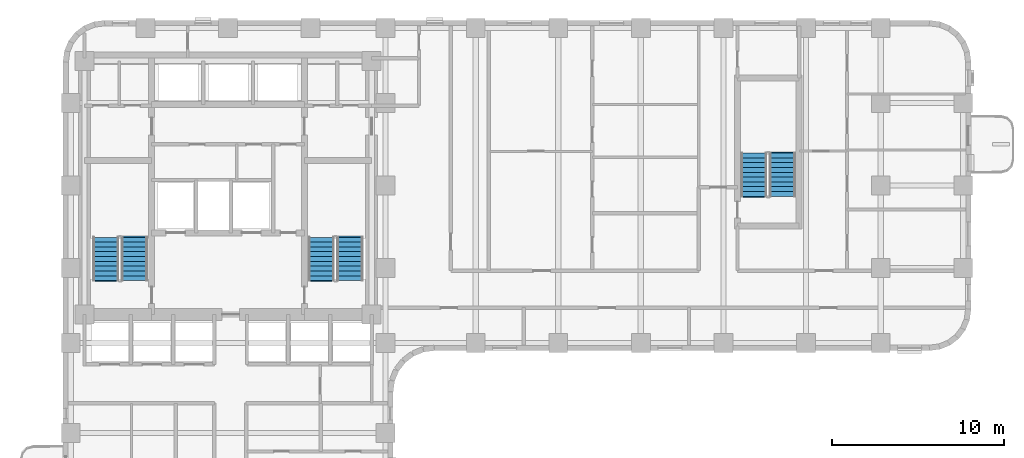
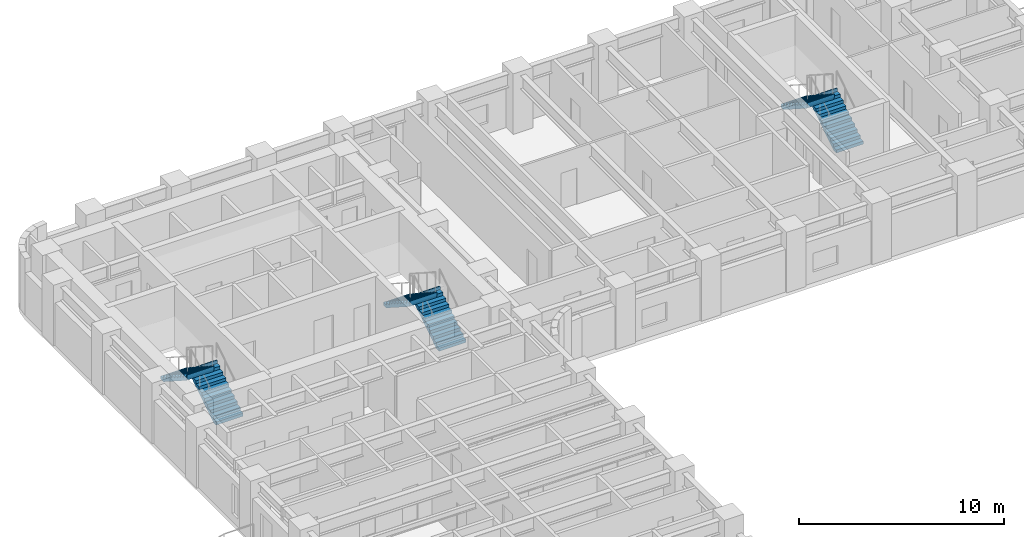
# One storey, part 8 of 12: 6 stair flights, 3 elements without a shape of their own.
"""IFC4 building model written with IfcOpenShell, lengths in metres."""

from ifc_helpers import new_model, si_unit, direction, frame, origin, place, context, subcontext, project, spatial, polyline, outline, extrude, material, type_object, element, aggregate, save


model = new_model("IFC4")

# Units and contexts
model_context = context("Model", 3, precision=1e-05, world=origin(), true_north=direction((0.0, 1.0)))
body_context = subcontext(model_context, "Body", "Model", "MODEL_VIEW")
ifc_project = project(units=[si_unit("LENGTHUNIT", "METRE"), si_unit("AREAUNIT", "SQUARE_METRE"), si_unit("VOLUMEUNIT", "CUBIC_METRE"), si_unit("PLANEANGLEUNIT", "RADIAN"), si_unit("MASSUNIT", "GRAM", prefix="KILO")], contexts=[model_context])

# Site, building, storey
site_placement = place(None, origin())
site = spatial("IfcSite", under=ifc_project, at=site_placement, CompositionType="ELEMENT")
building_placement = place(site_placement, origin())
building = spatial("IfcBuilding", under=site, at=building_placement, Name="Orvandelia Arch Residences", CompositionType="ELEMENT")
storey_placement = place(building_placement, frame((0.0, 0.0, 57.39990234375)))
storey = spatial("IfcBuildingStorey", under=building, at=storey_placement, Name="L14", CompositionType="ELEMENT", Elevation=57.39990234375)

# Stair, stair flights
ifc_material = material(Name="Concrete C40/50", Category="concrete")
stair_type = type_object("IfcStairType", Name="STAIR-RC-DOGLEG", PredefinedType="HALF_TURN_STAIR", material=ifc_material)
stair_1_placement = place(storey_placement, origin())
stair_1 = element("IfcStair", 1, at=stair_1_placement, inside=storey, type_object=stair_type, Name="L14 Protected Exit Stair ST-1", PredefinedType="HALF_TURN_STAIR")
stair_flight_type = type_object("IfcStairFlightType", Name="STFLT-RC-1520", PredefinedType="STRAIGHT", material=ifc_material)
stair_flight_1_placement = place(storey_placement, frame((8.9599609375, 32.8701171875, 0.0), z_axis=(0.0, 0.0, 1.0), x_axis=(0.0, 1.0, 0.0)))
stair_flight_1 = element("IfcStairFlight", 2, at=stair_flight_1_placement, type_object=stair_flight_type, Name="ST-1 flight 1", NumberOfRisers=10, NumberOfTreads=9, PredefinedType="STRAIGHT", RiserHeight=0.18, TreadLength=0.28, context=body_context, shape_type="SweptSolid", body=[
    extrude(outline(polyline([(0.0, 0.0), (0.0, 0.179931640625), (0.280029296875, 0.179931640625), (0.280029296875, 0.360107421875), (0.56005859375, 0.360107421875), (0.56005859375, 0.5400390625), (0.840087890625, 0.5400390625), (0.840087890625, 0.719970703125), (1.1201171875, 0.719970703125), (1.1201171875, 0.89990234375), (1.39990234375, 0.89990234375), (1.39990234375, 1.080078125), (1.679931640625, 1.080078125), (1.679931640625, 1.260009765625), (1.9599609375, 1.260009765625), (1.9599609375, 1.43994140625), (2.239990234375, 1.43994140625), (2.239990234375, 1.6201171875), (2.52001953125, 1.6201171875), (2.52001953125, 1.800048828125), (2.580078125, 1.800048828125), (2.580078125, 1.6201171875), (2.52001953125, 1.44189453125), (0.277099609375, 0.0), (0.0, 0.0)])), frame((0.0, 0.760009765625, 0.0), z_axis=(0.0, -1.0, 0.0), x_axis=(1.0, 0.0, 0.0)), (0.0, 0.0, 1.0), 1.52001953125),
])
stair_flight_2_placement = place(storey_placement, frame((7.2900390625, 35.389892578125, 1.800048828125), z_axis=(0.0, 0.0, 1.0), x_axis=(0.0, -1.0, 0.0)))
stair_flight_2 = element("IfcStairFlight", 3, at=stair_flight_2_placement, type_object=stair_flight_type, Name="ST-1 flight 2", NumberOfRisers=10, NumberOfTreads=9, PredefinedType="STRAIGHT", RiserHeight=0.18, TreadLength=0.28, context=body_context, shape_type="SweptSolid", body=[
    extrude(outline(polyline([(0.0, 0.0), (0.0, 0.179931640625), (0.280029296875, 0.179931640625), (0.280029296875, 0.360107421875), (0.56005859375, 0.360107421875), (0.56005859375, 0.5400390625), (0.840087890625, 0.5400390625), (0.840087890625, 0.719970703125), (1.1201171875, 0.719970703125), (1.1201171875, 0.89990234375), (1.39990234375, 0.89990234375), (1.39990234375, 1.080078125), (1.679931640625, 1.080078125), (1.679931640625, 1.260009765625), (1.9599609375, 1.260009765625), (1.9599609375, 1.43994140625), (2.239990234375, 1.43994140625), (2.239990234375, 1.6201171875), (2.52001953125, 1.6201171875), (2.52001953125, 1.800048828125), (2.580078125, 1.800048828125), (2.580078125, 1.6201171875), (2.52001953125, 1.44189453125), (0.277099609375, 0.0), (0.0, 0.0)])), frame((0.0, 0.760009765625, 0.0), z_axis=(0.0, -1.0, 0.0), x_axis=(1.0, 0.0, 0.0)), (0.0, 0.0, 1.0), 1.52001953125),
])
aggregate(stair_1, [stair_flight_1, stair_flight_2])

stair_2_placement = place(storey_placement, origin())
stair_2 = element("IfcStair", 4, at=stair_2_placement, inside=storey, type_object=stair_type, Name="L14 Protected Exit Stair ST-2", PredefinedType="HALF_TURN_STAIR")
stair_flight_3_placement = place(storey_placement, frame((21.489990234375, 32.8701171875, 0.0), z_axis=(0.0, 0.0, 1.0), x_axis=(0.0, 1.0, 0.0)))
stair_flight_3 = element("IfcStairFlight", 5, at=stair_flight_3_placement, type_object=stair_flight_type, Name="ST-2 flight 1", NumberOfRisers=10, NumberOfTreads=9, PredefinedType="STRAIGHT", RiserHeight=0.18, TreadLength=0.28, context=body_context, shape_type="SweptSolid", body=[
    extrude(outline(polyline([(0.0, 0.0), (0.0, 0.179931640625), (0.280029296875, 0.179931640625), (0.280029296875, 0.360107421875), (0.56005859375, 0.360107421875), (0.56005859375, 0.5400390625), (0.840087890625, 0.5400390625), (0.840087890625, 0.719970703125), (1.1201171875, 0.719970703125), (1.1201171875, 0.89990234375), (1.39990234375, 0.89990234375), (1.39990234375, 1.080078125), (1.679931640625, 1.080078125), (1.679931640625, 1.260009765625), (1.9599609375, 1.260009765625), (1.9599609375, 1.43994140625), (2.239990234375, 1.43994140625), (2.239990234375, 1.6201171875), (2.52001953125, 1.6201171875), (2.52001953125, 1.800048828125), (2.580078125, 1.800048828125), (2.580078125, 1.6201171875), (2.52001953125, 1.44189453125), (0.277099609375, 0.0), (0.0, 0.0)])), frame((0.0, 0.760009765625, 0.0), z_axis=(0.0, -1.0, 0.0), x_axis=(1.0, 0.0, 0.0)), (0.0, 0.0, 1.0), 1.52001953125),
])
stair_flight_4_placement = place(storey_placement, frame((19.820068359375, 35.389892578125, 1.800048828125), z_axis=(0.0, 0.0, 1.0), x_axis=(0.0, -1.0, 0.0)))
stair_flight_4 = element("IfcStairFlight", 6, at=stair_flight_4_placement, type_object=stair_flight_type, Name="ST-2 flight 2", NumberOfRisers=10, NumberOfTreads=9, PredefinedType="STRAIGHT", RiserHeight=0.18, TreadLength=0.28, context=body_context, shape_type="SweptSolid", body=[
    extrude(outline(polyline([(0.0, 0.0), (0.0, 0.179931640625), (0.280029296875, 0.179931640625), (0.280029296875, 0.360107421875), (0.56005859375, 0.360107421875), (0.56005859375, 0.5400390625), (0.840087890625, 0.5400390625), (0.840087890625, 0.719970703125), (1.1201171875, 0.719970703125), (1.1201171875, 0.89990234375), (1.39990234375, 0.89990234375), (1.39990234375, 1.080078125), (1.679931640625, 1.080078125), (1.679931640625, 1.260009765625), (1.9599609375, 1.260009765625), (1.9599609375, 1.43994140625), (2.239990234375, 1.43994140625), (2.239990234375, 1.6201171875), (2.52001953125, 1.6201171875), (2.52001953125, 1.800048828125), (2.580078125, 1.800048828125), (2.580078125, 1.6201171875), (2.52001953125, 1.44189453125), (0.277099609375, 0.0), (0.0, 0.0)])), frame((0.0, 0.760009765625, 0.0), z_axis=(0.0, -1.0, 0.0), x_axis=(1.0, 0.0, 0.0)), (0.0, 0.0, 1.0), 1.52001953125),
])
aggregate(stair_2, [stair_flight_3, stair_flight_4])

stair_3_placement = place(storey_placement, origin())
stair_3 = element("IfcStair", 7, at=stair_3_placement, inside=storey, type_object=stair_type, Name="L14 East Wing Exit Stair ST-3", PredefinedType="HALF_TURN_STAIR")
stair_flight_5_placement = place(storey_placement, frame((46.639892578125, 37.77001953125, 0.0), z_axis=(0.0, 0.0, 1.0), x_axis=(0.0, 1.0, 0.0)))
stair_flight_5 = element("IfcStairFlight", 8, at=stair_flight_5_placement, type_object=stair_flight_type, Name="ST-3 flight 1", NumberOfRisers=10, NumberOfTreads=9, PredefinedType="STRAIGHT", RiserHeight=0.18, TreadLength=0.28, context=body_context, shape_type="SweptSolid", body=[
    extrude(outline(polyline([(0.0, 0.0), (0.0, 0.179931640625), (0.280029296875, 0.179931640625), (0.280029296875, 0.360107421875), (0.56005859375, 0.360107421875), (0.56005859375, 0.5400390625), (0.840087890625, 0.5400390625), (0.840087890625, 0.719970703125), (1.1201171875, 0.719970703125), (1.1201171875, 0.89990234375), (1.39990234375, 0.89990234375), (1.39990234375, 1.080078125), (1.679931640625, 1.080078125), (1.679931640625, 1.260009765625), (1.9599609375, 1.260009765625), (1.9599609375, 1.43994140625), (2.239990234375, 1.43994140625), (2.239990234375, 1.6201171875), (2.52001953125, 1.6201171875), (2.52001953125, 1.800048828125), (2.580078125, 1.800048828125), (2.580078125, 1.6201171875), (2.52001953125, 1.44189453125), (0.277099609375, 0.0), (0.0, 0.0)])), frame((0.0, 0.760009765625, 0.0), z_axis=(0.0, -1.0, 0.0), x_axis=(1.0, 0.0, 0.0)), (0.0, 0.0, 1.0), 1.52001953125),
])
stair_flight_6_placement = place(storey_placement, frame((44.969970703125, 40.2900390625, 1.800048828125), z_axis=(0.0, 0.0, 1.0), x_axis=(0.0, -1.0, 0.0)))
stair_flight_6 = element("IfcStairFlight", 9, at=stair_flight_6_placement, type_object=stair_flight_type, Name="ST-3 flight 2", NumberOfRisers=10, NumberOfTreads=9, PredefinedType="STRAIGHT", RiserHeight=0.18, TreadLength=0.28, context=body_context, shape_type="SweptSolid", body=[
    extrude(outline(polyline([(0.0, 0.0), (0.0, 0.179931640625), (0.280029296875, 0.179931640625), (0.280029296875, 0.360107421875), (0.56005859375, 0.360107421875), (0.56005859375, 0.5400390625), (0.840087890625, 0.5400390625), (0.840087890625, 0.719970703125), (1.1201171875, 0.719970703125), (1.1201171875, 0.89990234375), (1.39990234375, 0.89990234375), (1.39990234375, 1.080078125), (1.679931640625, 1.080078125), (1.679931640625, 1.260009765625), (1.9599609375, 1.260009765625), (1.9599609375, 1.43994140625), (2.239990234375, 1.43994140625), (2.239990234375, 1.6201171875), (2.52001953125, 1.6201171875), (2.52001953125, 1.800048828125), (2.580078125, 1.800048828125), (2.580078125, 1.6201171875), (2.52001953125, 1.44189453125), (0.277099609375, 0.0), (0.0, 0.0)])), frame((0.0, 0.760009765625, 0.0), z_axis=(0.0, -1.0, 0.0), x_axis=(1.0, 0.0, 0.0)), (0.0, 0.0, 1.0), 1.52001953125),
])
aggregate(stair_3, [stair_flight_5, stair_flight_6])

save(model, "model.ifc")
